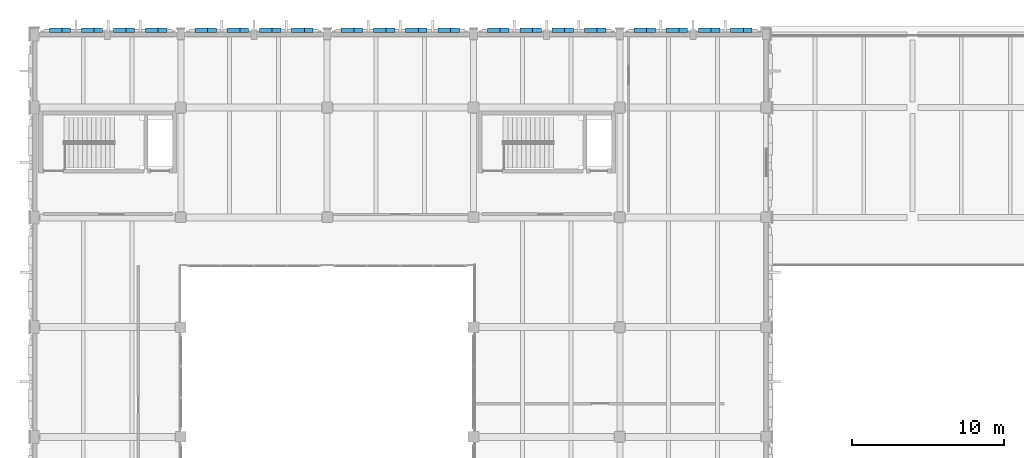
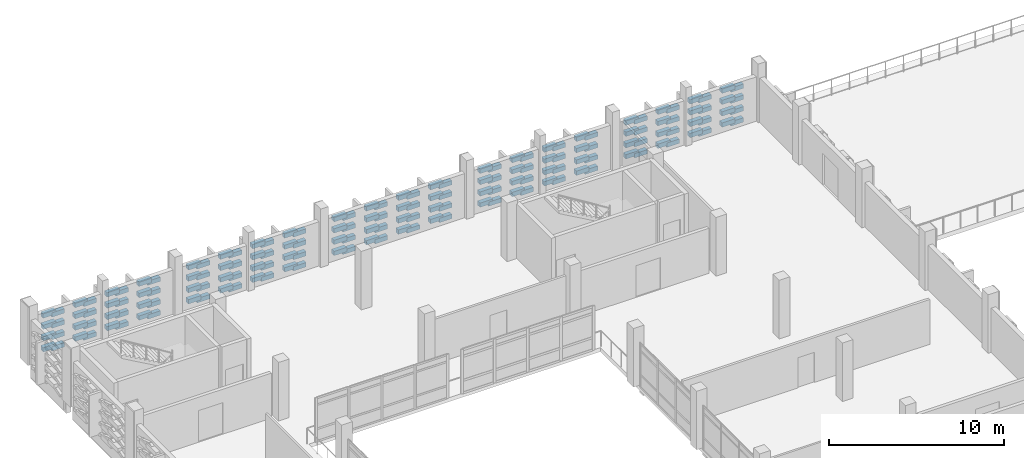
# One storey, part 108 of 134: 160 plates.
"""IFC4 building model written with IfcOpenShell, lengths in metres."""

from ifc_helpers import new_model, si_unit, direction, frame, origin, origin_2d, place, context, subcontext, project, spatial, rectangle, extrude, material, layer, layer_set, type_object, element, save


model = new_model("IFC4")

# Units and contexts
model_context = context("Model", 3, precision=1e-05, world=origin(), true_north=direction((0.0, 1.0)))
body_context = subcontext(model_context, "Body", "Model", "MODEL_VIEW")
ifc_project = project(units=[si_unit("LENGTHUNIT", "METRE"), si_unit("AREAUNIT", "SQUARE_METRE"), si_unit("VOLUMEUNIT", "CUBIC_METRE"), si_unit("PLANEANGLEUNIT", "RADIAN"), si_unit("MASSUNIT", "GRAM", prefix="KILO")], contexts=[model_context])

# Site, building, storey
site_placement = place(None, origin())
site = spatial("IfcSite", under=ifc_project, at=site_placement, CompositionType="ELEMENT")
building_placement = place(site_placement, origin())
building = spatial("IfcBuilding", under=site, at=building_placement, Name="Asteropetra Specialist Clinic", CompositionType="ELEMENT")
storey_placement = place(building_placement, frame((0.0, 0.0, 8.5)))
storey = spatial("IfcBuildingStorey", under=building, at=storey_placement, Name="L02", CompositionType="ELEMENT", Elevation=8.5)

# Plates
ifc_material = material(Name="Aluminium 6063-T6", Category="aluminium")
ifc_layer = layer(ifc_material, 0.139892578125)
ifc_layer_set = layer_set([ifc_layer], Name="Aluminium 6063-T6")
plate_type = type_object("IfcPlateType", Name="PLT-CHV-TILE", PredefinedType="SHEET", material=ifc_layer_set)
for number, where, z_axis, x_axis, name in (
    (1, (8.267578125, 110.679931640625, -0.00048828125), (0.0, 0.0, 1.0), (1.0, 0.0, 0.0), "Chevron Ceramic Panel CPT-0489"),
    (2, (7.68994140625, 110.679931640625, 0.12548828125), (0.0, 0.0, 1.0), (1.0, 0.0, 0.0), "Chevron Ceramic Panel CPT-0490"),
    (3, (8.267578125, 110.679931640625, 0.76953125), (0.0, 0.0, 1.0), (1.0, 0.0, 0.0), "Chevron Ceramic Panel CPT-0491"),
    (4, (7.68994140625, 110.679931640625, 0.8955078125), (0.0, 0.0, 1.0), (1.0, 0.0, 0.0), "Chevron Ceramic Panel CPT-0492"),
    (5, (8.267578125, 110.679931640625, 1.5693359375), (0.0, 0.0, 1.0), (1.0, 0.0, 0.0), "Chevron Ceramic Panel CPT-0493"),
    (6, (7.68994140625, 110.679931640625, 1.6953125), (0.0, 0.0, 1.0), (1.0, 0.0, 0.0), "Chevron Ceramic Panel CPT-0494"),
    (7, (8.267578125, 110.679931640625, 2.349609375), (0.0, 0.0, 1.0), (1.0, 0.0, 0.0), "Chevron Ceramic Panel CPT-0495"),
    (8, (7.68994140625, 110.679931640625, 2.4755859375), (0.0, 0.0, 1.0), (1.0, 0.0, 0.0), "Chevron Ceramic Panel CPT-0496"),
    (9, (6.1650390625, 110.679931640625, -0.00048828125), (0.0, 0.0, 1.0), (1.0, 0.0, 0.0), "Chevron Ceramic Panel CPT-0497"),
    (10, (5.58740234375, 110.679931640625, 0.12548828125), (0.0, 0.0, 1.0), (1.0, 0.0, 0.0), "Chevron Ceramic Panel CPT-0498"),
    (11, (6.1650390625, 110.679931640625, 0.76953125), (0.0, 0.0, 1.0), (1.0, 0.0, 0.0), "Chevron Ceramic Panel CPT-0499"),
    (12, (5.58740234375, 110.679931640625, 0.8955078125), (0.0, 0.0, 1.0), (1.0, 0.0, 0.0), "Chevron Ceramic Panel CPT-0500"),
    (13, (6.1650390625, 110.679931640625, 1.5693359375), (0.0, 0.0, 1.0), (1.0, 0.0, 0.0), "Chevron Ceramic Panel CPT-0501"),
    (14, (5.58740234375, 110.679931640625, 1.6953125), (0.0, 0.0, 1.0), (1.0, 0.0, 0.0), "Chevron Ceramic Panel CPT-0502"),
    (15, (6.1650390625, 110.679931640625, 2.349609375), (0.0, 0.0, 1.0), (1.0, 0.0, 0.0), "Chevron Ceramic Panel CPT-0503"),
    (16, (5.58740234375, 110.679931640625, 2.4755859375), (0.0, 0.0, 1.0), (1.0, 0.0, 0.0), "Chevron Ceramic Panel CPT-0504"),
    (17, (4.0625, 110.679931640625, -0.00048828125), (0.0, 0.0, 1.0), (1.0, 0.0, 0.0), "Chevron Ceramic Panel CPT-0505"),
    (18, (3.485107421875, 110.679931640625, 0.12548828125), (0.0, 0.0, 1.0), (1.0, 0.0, 0.0), "Chevron Ceramic Panel CPT-0506"),
    (19, (4.0625, 110.679931640625, 0.76953125), (0.0, 0.0, 1.0), (1.0, 0.0, 0.0), "Chevron Ceramic Panel CPT-0507"),
    (20, (3.485107421875, 110.679931640625, 0.8955078125), (0.0, 0.0, 1.0), (1.0, 0.0, 0.0), "Chevron Ceramic Panel CPT-0508"),
    (21, (4.0625, 110.679931640625, 1.5693359375), (0.0, 0.0, 1.0), (1.0, 0.0, 0.0), "Chevron Ceramic Panel CPT-0509"),
    (22, (3.485107421875, 110.679931640625, 1.6953125), (0.0, 0.0, 1.0), (1.0, 0.0, 0.0), "Chevron Ceramic Panel CPT-0510"),
    (23, (4.0625, 110.679931640625, 2.349609375), (0.0, 0.0, 1.0), (1.0, 0.0, 0.0), "Chevron Ceramic Panel CPT-0511"),
    (24, (3.485107421875, 110.679931640625, 2.4755859375), (0.0, 0.0, 1.0), (1.0, 0.0, 0.0), "Chevron Ceramic Panel CPT-0512"),
    (25, (1.9599609375, 110.679931640625, -0.00048828125), (0.0, 0.0, 1.0), (1.0, 0.0, 0.0), "Chevron Ceramic Panel CPT-0513"),
    (26, (1.382568359375, 110.679931640625, 0.12548828125), (0.0, 0.0, 1.0), (1.0, 0.0, 0.0), "Chevron Ceramic Panel CPT-0514"),
    (27, (1.9599609375, 110.679931640625, 0.76953125), (0.0, 0.0, 1.0), (1.0, 0.0, 0.0), "Chevron Ceramic Panel CPT-0515"),
    (28, (1.382568359375, 110.679931640625, 0.8955078125), (0.0, 0.0, 1.0), (1.0, 0.0, 0.0), "Chevron Ceramic Panel CPT-0516"),
    (29, (1.9599609375, 110.679931640625, 1.5693359375), (0.0, 0.0, 1.0), (1.0, 0.0, 0.0), "Chevron Ceramic Panel CPT-0517"),
    (30, (1.382568359375, 110.679931640625, 1.6953125), (0.0, 0.0, 1.0), (1.0, 0.0, 0.0), "Chevron Ceramic Panel CPT-0518"),
    (31, (1.9599609375, 110.679931640625, 2.349609375), (0.0, 0.0, 1.0), (1.0, 0.0, 0.0), "Chevron Ceramic Panel CPT-0519"),
    (32, (1.382568359375, 110.679931640625, 2.4755859375), (0.0, 0.0, 1.0), (1.0, 0.0, 0.0), "Chevron Ceramic Panel CPT-0520"),
):
    element("IfcPlate", number, at=place(storey_placement, frame(where, z_axis=z_axis, x_axis=x_axis)), inside=storey, type_object=plate_type, Name=name, PredefinedType="SHEET", context=body_context, shape_type="SweptSolid", body=[
        extrude(rectangle(XDim=0.824951171875, YDim=0.280029296875, at=origin_2d()), origin(), (0.0, 0.0, 1.0), 0.300048828125),
    ])
for number, where, z_axis, x_axis, name in (
    (33, (17.863037109375, 110.679931640625, 0.0), (0.0, 0.0, 1.0), (1.0, 0.0, 0.0), "Chevron Ceramic Panel CPT-0521"),
    (34, (17.281982421875, 110.679931640625, 0.12646484375), (0.0, 0.0, 1.0), (1.0, 0.0, 0.0), "Chevron Ceramic Panel CPT-0522"),
    (35, (17.863037109375, 110.679931640625, 0.77001953125), (0.0, 0.0, 1.0), (1.0, 0.0, 0.0), "Chevron Ceramic Panel CPT-0523"),
    (36, (17.281982421875, 110.679931640625, 0.896484375), (0.0, 0.0, 1.0), (1.0, 0.0, 0.0), "Chevron Ceramic Panel CPT-0524"),
    (37, (17.863037109375, 110.679931640625, 1.56982421875), (0.0, 0.0, 1.0), (1.0, 0.0, 0.0), "Chevron Ceramic Panel CPT-0525"),
    (38, (17.281982421875, 110.679931640625, 1.69677734375), (0.0, 0.0, 1.0), (1.0, 0.0, 0.0), "Chevron Ceramic Panel CPT-0526"),
    (39, (17.863037109375, 110.679931640625, 2.35009765625), (0.0, 0.0, 1.0), (1.0, 0.0, 0.0), "Chevron Ceramic Panel CPT-0527"),
    (40, (17.281982421875, 110.679931640625, 2.4765625), (0.0, 0.0, 1.0), (1.0, 0.0, 0.0), "Chevron Ceramic Panel CPT-0528"),
    (41, (15.748046875, 110.679931640625, 0.0), (0.0, 0.0, 1.0), (1.0, 0.0, 0.0), "Chevron Ceramic Panel CPT-0529"),
    (42, (15.1669921875, 110.679931640625, 0.12646484375), (0.0, 0.0, 1.0), (1.0, 0.0, 0.0), "Chevron Ceramic Panel CPT-0530"),
    (43, (15.748046875, 110.679931640625, 0.77001953125), (0.0, 0.0, 1.0), (1.0, 0.0, 0.0), "Chevron Ceramic Panel CPT-0531"),
    (44, (15.1669921875, 110.679931640625, 0.896484375), (0.0, 0.0, 1.0), (1.0, 0.0, 0.0), "Chevron Ceramic Panel CPT-0532"),
    (45, (15.748046875, 110.679931640625, 1.56982421875), (0.0, 0.0, 1.0), (1.0, 0.0, 0.0), "Chevron Ceramic Panel CPT-0533"),
    (46, (15.1669921875, 110.679931640625, 1.69677734375), (0.0, 0.0, 1.0), (1.0, 0.0, 0.0), "Chevron Ceramic Panel CPT-0534"),
    (47, (15.748046875, 110.679931640625, 2.35009765625), (0.0, 0.0, 1.0), (1.0, 0.0, 0.0), "Chevron Ceramic Panel CPT-0535"),
    (48, (15.1669921875, 110.679931640625, 2.4765625), (0.0, 0.0, 1.0), (1.0, 0.0, 0.0), "Chevron Ceramic Panel CPT-0536"),
    (49, (13.633056640625, 110.679931640625, 0.0), (0.0, 0.0, 1.0), (1.0, 0.0, 0.0), "Chevron Ceramic Panel CPT-0537"),
    (50, (13.052001953125, 110.679931640625, 0.12646484375), (0.0, 0.0, 1.0), (1.0, 0.0, 0.0), "Chevron Ceramic Panel CPT-0538"),
    (51, (13.633056640625, 110.679931640625, 0.77001953125), (0.0, 0.0, 1.0), (1.0, 0.0, 0.0), "Chevron Ceramic Panel CPT-0539"),
    (52, (13.052001953125, 110.679931640625, 0.896484375), (0.0, 0.0, 1.0), (1.0, 0.0, 0.0), "Chevron Ceramic Panel CPT-0540"),
    (53, (13.633056640625, 110.679931640625, 1.56982421875), (0.0, 0.0, 1.0), (1.0, 0.0, 0.0), "Chevron Ceramic Panel CPT-0541"),
    (54, (13.052001953125, 110.679931640625, 1.69677734375), (0.0, 0.0, 1.0), (1.0, 0.0, 0.0), "Chevron Ceramic Panel CPT-0542"),
    (55, (13.633056640625, 110.679931640625, 2.35009765625), (0.0, 0.0, 1.0), (1.0, 0.0, 0.0), "Chevron Ceramic Panel CPT-0543"),
    (56, (13.052001953125, 110.679931640625, 2.4765625), (0.0, 0.0, 1.0), (1.0, 0.0, 0.0), "Chevron Ceramic Panel CPT-0544"),
    (57, (11.51806640625, 110.679931640625, 0.0), (0.0, 0.0, 1.0), (1.0, 0.0, 0.0), "Chevron Ceramic Panel CPT-0545"),
    (58, (10.93701171875, 110.679931640625, 0.12646484375), (0.0, 0.0, 1.0), (1.0, 0.0, 0.0), "Chevron Ceramic Panel CPT-0546"),
    (59, (11.51806640625, 110.679931640625, 0.77001953125), (0.0, 0.0, 1.0), (1.0, 0.0, 0.0), "Chevron Ceramic Panel CPT-0547"),
    (60, (10.93701171875, 110.679931640625, 0.896484375), (0.0, 0.0, 1.0), (1.0, 0.0, 0.0), "Chevron Ceramic Panel CPT-0548"),
    (61, (11.51806640625, 110.679931640625, 1.56982421875), (0.0, 0.0, 1.0), (1.0, 0.0, 0.0), "Chevron Ceramic Panel CPT-0549"),
    (62, (10.93701171875, 110.679931640625, 1.69677734375), (0.0, 0.0, 1.0), (1.0, 0.0, 0.0), "Chevron Ceramic Panel CPT-0550"),
    (63, (11.51806640625, 110.679931640625, 2.35009765625), (0.0, 0.0, 1.0), (1.0, 0.0, 0.0), "Chevron Ceramic Panel CPT-0551"),
    (64, (10.93701171875, 110.679931640625, 2.4765625), (0.0, 0.0, 1.0), (1.0, 0.0, 0.0), "Chevron Ceramic Panel CPT-0552"),
    (65, (27.462890625, 110.679931640625, 0.0), (0.0, 0.0, 1.0), (1.0, 0.0, 0.0), "Chevron Ceramic Panel CPT-0553"),
    (66, (26.882080078125, 110.679931640625, 0.12646484375), (0.0, 0.0, 1.0), (1.0, 0.0, 0.0), "Chevron Ceramic Panel CPT-0554"),
    (67, (27.462890625, 110.679931640625, 0.77001953125), (0.0, 0.0, 1.0), (1.0, 0.0, 0.0), "Chevron Ceramic Panel CPT-0555"),
    (68, (26.882080078125, 110.679931640625, 0.896484375), (0.0, 0.0, 1.0), (1.0, 0.0, 0.0), "Chevron Ceramic Panel CPT-0556"),
    (69, (27.462890625, 110.679931640625, 1.56982421875), (0.0, 0.0, 1.0), (1.0, 0.0, 0.0), "Chevron Ceramic Panel CPT-0557"),
    (70, (26.882080078125, 110.679931640625, 1.69677734375), (0.0, 0.0, 1.0), (1.0, 0.0, 0.0), "Chevron Ceramic Panel CPT-0558"),
    (71, (27.462890625, 110.679931640625, 2.35009765625), (0.0, 0.0, 1.0), (1.0, 0.0, 0.0), "Chevron Ceramic Panel CPT-0559"),
    (72, (26.882080078125, 110.679931640625, 2.4765625), (0.0, 0.0, 1.0), (1.0, 0.0, 0.0), "Chevron Ceramic Panel CPT-0560"),
    (73, (25.347900390625, 110.679931640625, 0.0), (0.0, 0.0, 1.0), (1.0, 0.0, 0.0), "Chevron Ceramic Panel CPT-0561"),
    (74, (24.76708984375, 110.679931640625, 0.12646484375), (0.0, 0.0, 1.0), (1.0, 0.0, 0.0), "Chevron Ceramic Panel CPT-0562"),
    (75, (25.347900390625, 110.679931640625, 0.77001953125), (0.0, 0.0, 1.0), (1.0, 0.0, 0.0), "Chevron Ceramic Panel CPT-0563"),
    (76, (24.76708984375, 110.679931640625, 0.896484375), (0.0, 0.0, 1.0), (1.0, 0.0, 0.0), "Chevron Ceramic Panel CPT-0564"),
    (77, (25.347900390625, 110.679931640625, 1.56982421875), (0.0, 0.0, 1.0), (1.0, 0.0, 0.0), "Chevron Ceramic Panel CPT-0565"),
    (78, (24.76708984375, 110.679931640625, 1.69677734375), (0.0, 0.0, 1.0), (1.0, 0.0, 0.0), "Chevron Ceramic Panel CPT-0566"),
    (79, (25.347900390625, 110.679931640625, 2.35009765625), (0.0, 0.0, 1.0), (1.0, 0.0, 0.0), "Chevron Ceramic Panel CPT-0567"),
    (80, (24.76708984375, 110.679931640625, 2.4765625), (0.0, 0.0, 1.0), (1.0, 0.0, 0.0), "Chevron Ceramic Panel CPT-0568"),
    (81, (23.23291015625, 110.679931640625, 0.0), (0.0, 0.0, 1.0), (1.0, 0.0, 0.0), "Chevron Ceramic Panel CPT-0569"),
    (82, (22.652099609375, 110.679931640625, 0.12646484375), (0.0, 0.0, 1.0), (1.0, 0.0, 0.0), "Chevron Ceramic Panel CPT-0570"),
    (83, (23.23291015625, 110.679931640625, 0.77001953125), (0.0, 0.0, 1.0), (1.0, 0.0, 0.0), "Chevron Ceramic Panel CPT-0571"),
    (84, (22.652099609375, 110.679931640625, 0.896484375), (0.0, 0.0, 1.0), (1.0, 0.0, 0.0), "Chevron Ceramic Panel CPT-0572"),
    (85, (23.23291015625, 110.679931640625, 1.56982421875), (0.0, 0.0, 1.0), (1.0, 0.0, 0.0), "Chevron Ceramic Panel CPT-0573"),
    (86, (22.652099609375, 110.679931640625, 1.69677734375), (0.0, 0.0, 1.0), (1.0, 0.0, 0.0), "Chevron Ceramic Panel CPT-0574"),
    (87, (23.23291015625, 110.679931640625, 2.35009765625), (0.0, 0.0, 1.0), (1.0, 0.0, 0.0), "Chevron Ceramic Panel CPT-0575"),
    (88, (22.652099609375, 110.679931640625, 2.4765625), (0.0, 0.0, 1.0), (1.0, 0.0, 0.0), "Chevron Ceramic Panel CPT-0576"),
    (89, (21.117919921875, 110.679931640625, 0.0), (0.0, 0.0, 1.0), (1.0, 0.0, 0.0), "Chevron Ceramic Panel CPT-0577"),
    (90, (20.537109375, 110.679931640625, 0.12646484375), (0.0, 0.0, 1.0), (1.0, 0.0, 0.0), "Chevron Ceramic Panel CPT-0578"),
    (91, (21.117919921875, 110.679931640625, 0.77001953125), (0.0, 0.0, 1.0), (1.0, 0.0, 0.0), "Chevron Ceramic Panel CPT-0579"),
    (92, (20.537109375, 110.679931640625, 0.896484375), (0.0, 0.0, 1.0), (1.0, 0.0, 0.0), "Chevron Ceramic Panel CPT-0580"),
    (93, (21.117919921875, 110.679931640625, 1.56982421875), (0.0, 0.0, 1.0), (1.0, 0.0, 0.0), "Chevron Ceramic Panel CPT-0581"),
    (94, (20.537109375, 110.679931640625, 1.69677734375), (0.0, 0.0, 1.0), (1.0, 0.0, 0.0), "Chevron Ceramic Panel CPT-0582"),
    (95, (21.117919921875, 110.679931640625, 2.35009765625), (0.0, 0.0, 1.0), (1.0, 0.0, 0.0), "Chevron Ceramic Panel CPT-0583"),
    (96, (20.537109375, 110.679931640625, 2.4765625), (0.0, 0.0, 1.0), (1.0, 0.0, 0.0), "Chevron Ceramic Panel CPT-0584"),
    (97, (37.06298828125, 110.679931640625, 0.0), (0.0, 0.0, 1.0), (1.0, 0.0, 0.0), "Chevron Ceramic Panel CPT-0609"),
    (98, (36.48193359375, 110.679931640625, 0.12646484375), (0.0, 0.0, 1.0), (1.0, 0.0, 0.0), "Chevron Ceramic Panel CPT-0610"),
    (99, (37.06298828125, 110.679931640625, 0.77001953125), (0.0, 0.0, 1.0), (1.0, 0.0, 0.0), "Chevron Ceramic Panel CPT-0611"),
    (100, (36.48193359375, 110.679931640625, 0.896484375), (0.0, 0.0, 1.0), (1.0, 0.0, 0.0), "Chevron Ceramic Panel CPT-0612"),
    (101, (37.06298828125, 110.679931640625, 1.56982421875), (0.0, 0.0, 1.0), (1.0, 0.0, 0.0), "Chevron Ceramic Panel CPT-0613"),
    (102, (36.48193359375, 110.679931640625, 1.69677734375), (0.0, 0.0, 1.0), (1.0, 0.0, 0.0), "Chevron Ceramic Panel CPT-0614"),
    (103, (37.06298828125, 110.679931640625, 2.35009765625), (0.0, 0.0, 1.0), (1.0, 0.0, 0.0), "Chevron Ceramic Panel CPT-0615"),
    (104, (36.48193359375, 110.679931640625, 2.4765625), (0.0, 0.0, 1.0), (1.0, 0.0, 0.0), "Chevron Ceramic Panel CPT-0616"),
    (105, (34.947998046875, 110.679931640625, 0.0), (0.0, 0.0, 1.0), (1.0, 0.0, 0.0), "Chevron Ceramic Panel CPT-0617"),
    (106, (34.366943359375, 110.679931640625, 0.12646484375), (0.0, 0.0, 1.0), (1.0, 0.0, 0.0), "Chevron Ceramic Panel CPT-0618"),
    (107, (34.947998046875, 110.679931640625, 0.77001953125), (0.0, 0.0, 1.0), (1.0, 0.0, 0.0), "Chevron Ceramic Panel CPT-0619"),
    (108, (34.366943359375, 110.679931640625, 0.896484375), (0.0, 0.0, 1.0), (1.0, 0.0, 0.0), "Chevron Ceramic Panel CPT-0620"),
    (109, (34.947998046875, 110.679931640625, 1.56982421875), (0.0, 0.0, 1.0), (1.0, 0.0, 0.0), "Chevron Ceramic Panel CPT-0621"),
    (110, (34.366943359375, 110.679931640625, 1.69677734375), (0.0, 0.0, 1.0), (1.0, 0.0, 0.0), "Chevron Ceramic Panel CPT-0622"),
    (111, (34.947998046875, 110.679931640625, 2.35009765625), (0.0, 0.0, 1.0), (1.0, 0.0, 0.0), "Chevron Ceramic Panel CPT-0623"),
    (112, (34.366943359375, 110.679931640625, 2.4765625), (0.0, 0.0, 1.0), (1.0, 0.0, 0.0), "Chevron Ceramic Panel CPT-0624"),
    (113, (32.8330078125, 110.679931640625, 0.0), (0.0, 0.0, 1.0), (1.0, 0.0, 0.0), "Chevron Ceramic Panel CPT-0625"),
    (114, (32.251953125, 110.679931640625, 0.12646484375), (0.0, 0.0, 1.0), (1.0, 0.0, 0.0), "Chevron Ceramic Panel CPT-0626"),
    (115, (32.8330078125, 110.679931640625, 0.77001953125), (0.0, 0.0, 1.0), (1.0, 0.0, 0.0), "Chevron Ceramic Panel CPT-0627"),
    (116, (32.251953125, 110.679931640625, 0.896484375), (0.0, 0.0, 1.0), (1.0, 0.0, 0.0), "Chevron Ceramic Panel CPT-0628"),
    (117, (32.8330078125, 110.679931640625, 1.56982421875), (0.0, 0.0, 1.0), (1.0, 0.0, 0.0), "Chevron Ceramic Panel CPT-0629"),
    (118, (32.251953125, 110.679931640625, 1.69677734375), (0.0, 0.0, 1.0), (1.0, 0.0, 0.0), "Chevron Ceramic Panel CPT-0630"),
    (119, (32.8330078125, 110.679931640625, 2.35009765625), (0.0, 0.0, 1.0), (1.0, 0.0, 0.0), "Chevron Ceramic Panel CPT-0631"),
    (120, (32.251953125, 110.679931640625, 2.4765625), (0.0, 0.0, 1.0), (1.0, 0.0, 0.0), "Chevron Ceramic Panel CPT-0632"),
    (121, (30.718017578125, 110.679931640625, 0.0), (0.0, 0.0, 1.0), (1.0, 0.0, 0.0), "Chevron Ceramic Panel CPT-0633"),
    (122, (30.136962890625, 110.679931640625, 0.12646484375), (0.0, 0.0, 1.0), (1.0, 0.0, 0.0), "Chevron Ceramic Panel CPT-0634"),
    (123, (30.718017578125, 110.679931640625, 0.77001953125), (0.0, 0.0, 1.0), (1.0, 0.0, 0.0), "Chevron Ceramic Panel CPT-0635"),
    (124, (30.136962890625, 110.679931640625, 0.896484375), (0.0, 0.0, 1.0), (1.0, 0.0, 0.0), "Chevron Ceramic Panel CPT-0636"),
    (125, (30.718017578125, 110.679931640625, 1.56982421875), (0.0, 0.0, 1.0), (1.0, 0.0, 0.0), "Chevron Ceramic Panel CPT-0637"),
    (126, (30.136962890625, 110.679931640625, 1.69677734375), (0.0, 0.0, 1.0), (1.0, 0.0, 0.0), "Chevron Ceramic Panel CPT-0638"),
    (127, (30.718017578125, 110.679931640625, 2.35009765625), (0.0, 0.0, 1.0), (1.0, 0.0, 0.0), "Chevron Ceramic Panel CPT-0639"),
    (128, (30.136962890625, 110.679931640625, 2.4765625), (0.0, 0.0, 1.0), (1.0, 0.0, 0.0), "Chevron Ceramic Panel CPT-0640"),
    (129, (46.6630859375, 110.679931640625, 0.0), (0.0, 0.0, 1.0), (1.0, 0.0, 0.0), "Chevron Ceramic Panel CPT-0665"),
    (130, (46.08203125, 110.679931640625, 0.12646484375), (0.0, 0.0, 1.0), (1.0, 0.0, 0.0), "Chevron Ceramic Panel CPT-0666"),
    (131, (46.6630859375, 110.679931640625, 0.77001953125), (0.0, 0.0, 1.0), (1.0, 0.0, 0.0), "Chevron Ceramic Panel CPT-0667"),
    (132, (46.08203125, 110.679931640625, 0.896484375), (0.0, 0.0, 1.0), (1.0, 0.0, 0.0), "Chevron Ceramic Panel CPT-0668"),
    (133, (46.6630859375, 110.679931640625, 1.56982421875), (0.0, 0.0, 1.0), (1.0, 0.0, 0.0), "Chevron Ceramic Panel CPT-0669"),
    (134, (46.08203125, 110.679931640625, 1.69677734375), (0.0, 0.0, 1.0), (1.0, 0.0, 0.0), "Chevron Ceramic Panel CPT-0670"),
    (135, (46.6630859375, 110.679931640625, 2.35009765625), (0.0, 0.0, 1.0), (1.0, 0.0, 0.0), "Chevron Ceramic Panel CPT-0671"),
    (136, (46.08203125, 110.679931640625, 2.4765625), (0.0, 0.0, 1.0), (1.0, 0.0, 0.0), "Chevron Ceramic Panel CPT-0672"),
    (137, (44.548095703125, 110.679931640625, 0.0), (0.0, 0.0, 1.0), (1.0, 0.0, 0.0), "Chevron Ceramic Panel CPT-0673"),
    (138, (43.967041015625, 110.679931640625, 0.12646484375), (0.0, 0.0, 1.0), (1.0, 0.0, 0.0), "Chevron Ceramic Panel CPT-0674"),
    (139, (44.548095703125, 110.679931640625, 0.77001953125), (0.0, 0.0, 1.0), (1.0, 0.0, 0.0), "Chevron Ceramic Panel CPT-0675"),
    (140, (43.967041015625, 110.679931640625, 0.896484375), (0.0, 0.0, 1.0), (1.0, 0.0, 0.0), "Chevron Ceramic Panel CPT-0676"),
    (141, (44.548095703125, 110.679931640625, 1.56982421875), (0.0, 0.0, 1.0), (1.0, 0.0, 0.0), "Chevron Ceramic Panel CPT-0677"),
    (142, (43.967041015625, 110.679931640625, 1.69677734375), (0.0, 0.0, 1.0), (1.0, 0.0, 0.0), "Chevron Ceramic Panel CPT-0678"),
    (143, (44.548095703125, 110.679931640625, 2.35009765625), (0.0, 0.0, 1.0), (1.0, 0.0, 0.0), "Chevron Ceramic Panel CPT-0679"),
    (144, (43.967041015625, 110.679931640625, 2.4765625), (0.0, 0.0, 1.0), (1.0, 0.0, 0.0), "Chevron Ceramic Panel CPT-0680"),
    (145, (42.43310546875, 110.679931640625, 0.0), (0.0, 0.0, 1.0), (1.0, 0.0, 0.0), "Chevron Ceramic Panel CPT-0681"),
    (146, (41.85205078125, 110.679931640625, 0.12646484375), (0.0, 0.0, 1.0), (1.0, 0.0, 0.0), "Chevron Ceramic Panel CPT-0682"),
    (147, (42.43310546875, 110.679931640625, 0.77001953125), (0.0, 0.0, 1.0), (1.0, 0.0, 0.0), "Chevron Ceramic Panel CPT-0683"),
    (148, (41.85205078125, 110.679931640625, 0.896484375), (0.0, 0.0, 1.0), (1.0, 0.0, 0.0), "Chevron Ceramic Panel CPT-0684"),
    (149, (42.43310546875, 110.679931640625, 1.56982421875), (0.0, 0.0, 1.0), (1.0, 0.0, 0.0), "Chevron Ceramic Panel CPT-0685"),
    (150, (41.85205078125, 110.679931640625, 1.69677734375), (0.0, 0.0, 1.0), (1.0, 0.0, 0.0), "Chevron Ceramic Panel CPT-0686"),
    (151, (42.43310546875, 110.679931640625, 2.35009765625), (0.0, 0.0, 1.0), (1.0, 0.0, 0.0), "Chevron Ceramic Panel CPT-0687"),
    (152, (41.85205078125, 110.679931640625, 2.4765625), (0.0, 0.0, 1.0), (1.0, 0.0, 0.0), "Chevron Ceramic Panel CPT-0688"),
    (153, (40.318115234375, 110.679931640625, 0.0), (0.0, 0.0, 1.0), (1.0, 0.0, 0.0), "Chevron Ceramic Panel CPT-0689"),
    (154, (39.737060546875, 110.679931640625, 0.12646484375), (0.0, 0.0, 1.0), (1.0, 0.0, 0.0), "Chevron Ceramic Panel CPT-0690"),
    (155, (40.318115234375, 110.679931640625, 0.77001953125), (0.0, 0.0, 1.0), (1.0, 0.0, 0.0), "Chevron Ceramic Panel CPT-0691"),
    (156, (39.737060546875, 110.679931640625, 0.896484375), (0.0, 0.0, 1.0), (1.0, 0.0, 0.0), "Chevron Ceramic Panel CPT-0692"),
    (157, (40.318115234375, 110.679931640625, 1.56982421875), (0.0, 0.0, 1.0), (1.0, 0.0, 0.0), "Chevron Ceramic Panel CPT-0693"),
    (158, (39.737060546875, 110.679931640625, 1.69677734375), (0.0, 0.0, 1.0), (1.0, 0.0, 0.0), "Chevron Ceramic Panel CPT-0694"),
    (159, (40.318115234375, 110.679931640625, 2.35009765625), (0.0, 0.0, 1.0), (1.0, 0.0, 0.0), "Chevron Ceramic Panel CPT-0695"),
    (160, (39.737060546875, 110.679931640625, 2.4765625), (0.0, 0.0, 1.0), (1.0, 0.0, 0.0), "Chevron Ceramic Panel CPT-0696"),
):
    element("IfcPlate", number, at=place(storey_placement, frame(where, z_axis=z_axis, x_axis=x_axis)), inside=storey, type_object=plate_type, Name=name, PredefinedType="SHEET", context=body_context, shape_type="SweptSolid", body=[
        extrude(rectangle(XDim=0.830078125, YDim=0.280029296875, at=origin_2d()), origin(), (0.0, 0.0, 1.0), 0.300048828125),
    ])

save(model, "model.ifc")
